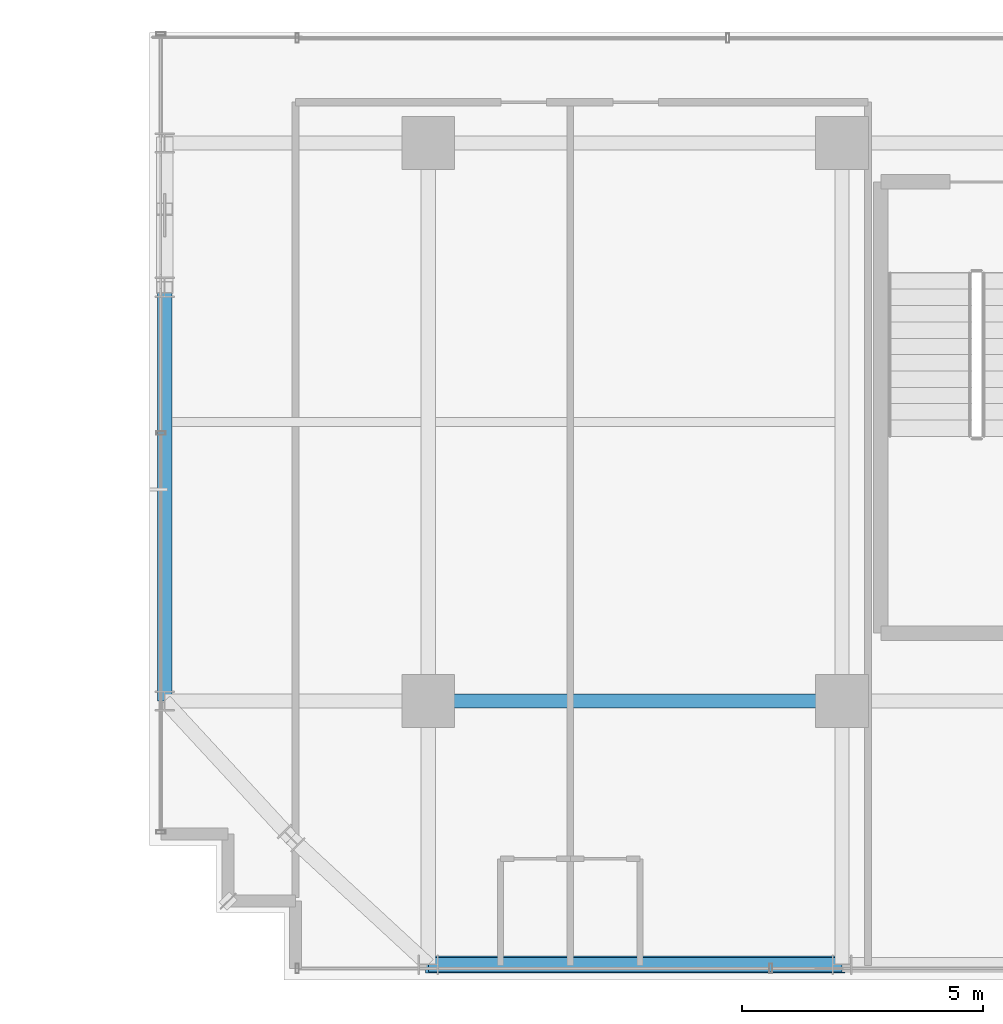
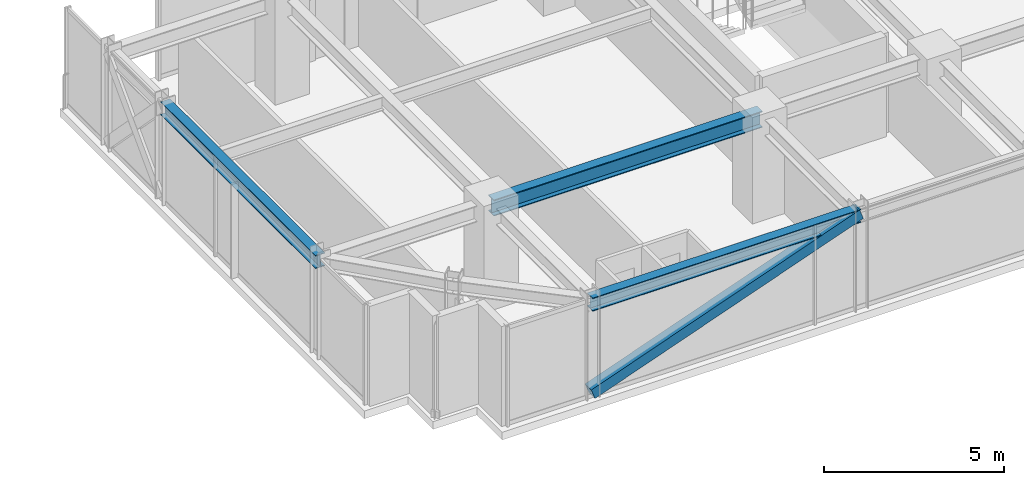
# One storey, part 3 of 43: 3 beams, 1 member.
"""IFC4 building model written with IfcOpenShell, lengths in metres."""

from ifc_helpers import new_model, si_unit, direction, frame, origin, origin_2d, place, context, subcontext, project, spatial, hollow_rectangle, i_section, extrude, source, transform, mapped, material, material_profile, profile_set, type_object, element, save


model = new_model("IFC4")

# Units and contexts
model_context = context("Model", 3, precision=1e-05, world=origin(), true_north=direction((0.0, 1.0)))
body_context = subcontext(model_context, "Body", "Model", "MODEL_VIEW")
ifc_project = project(units=[si_unit("LENGTHUNIT", "METRE"), si_unit("AREAUNIT", "SQUARE_METRE"), si_unit("VOLUMEUNIT", "CUBIC_METRE"), si_unit("PLANEANGLEUNIT", "RADIAN"), si_unit("MASSUNIT", "GRAM", prefix="KILO")], contexts=[model_context])

# Site, building, storey
site_placement = place(None, origin())
site = spatial("IfcSite", under=ifc_project, at=site_placement, CompositionType="ELEMENT")
building_placement = place(site_placement, origin())
building = spatial("IfcBuilding", under=site, at=building_placement, Name="Nahalor Promenade Grand Hotel", CompositionType="ELEMENT")
storey_placement = place(building_placement, frame((0.0, 0.0, 181.85009765625)))
storey = spatial("IfcBuildingStorey", under=building, at=storey_placement, Name="L46", CompositionType="ELEMENT", Elevation=181.85009765625)

# Beams
ifc_material = material(Name="Steel S355JR", Category="steel")
ifc_material_profile_1 = material_profile(ifc_material, i_section(OverallWidth=0.3, OverallDepth=0.55, WebThickness=0.015, FlangeThickness=0.029, at=origin_2d()), Name="HEB 550")
ifc_profile_set_1 = profile_set([ifc_material_profile_1], Name="Steel S355JR")
beam_type_1 = type_object("IfcBeamType", Name="Beam-Girder-HEB550", PredefinedType="BEAM", material=ifc_profile_set_1)
shared_shape_1 = source(origin(), body_context, "Body", "SweptSolid", [
    extrude(i_section(OverallWidth=0.3, OverallDepth=0.55, WebThickness=0.015, FlangeThickness=0.029, at=origin_2d()), origin(), (0.0, 0.0, 1.0), 8.60009765625),
])
beam_placement = place(storey_placement, frame((-17.0, -17.0, 3.114990234375), z_axis=(1.0, 0.0, 0.0), x_axis=(0.0, 1.0, 0.0)))
element("IfcBeam", 1, at=beam_placement, inside=storey, type_object=beam_type_1, Name="BM-L46-GX-0-1", PredefinedType="BEAM", context=body_context, shape_type="MappedRepresentation", body=[
    mapped(shared_shape_1, transform((0.0, 0.0, 0.0), scale=1.0)),
])
ifc_material_profile_2 = material_profile(ifc_material, i_section(OverallWidth=0.3, OverallDepth=0.45, WebThickness=0.014, FlangeThickness=0.026, at=origin_2d()), Name="HEB 450")
ifc_profile_set_2 = profile_set([ifc_material_profile_2], Name="Steel S355JR")
beam_type_2 = type_object("IfcBeamType", Name="Beam-Spandrel-HEB450", PredefinedType="SPANDREL", material=ifc_profile_set_2)
shared_shape_2 = source(origin(), body_context, "Body", "SweptSolid", [
    extrude(i_section(OverallWidth=0.3, OverallDepth=0.45, WebThickness=0.014, FlangeThickness=0.026, at=origin_2d()), origin(), (0.0, 0.0, 1.0), 8.60009765625),
])
for number, where, z_axis, x_axis, name in (
    (2, (-17.0, -22.47998046875, 3.164794921875), (1.0, 0.0, 0.0), (0.0, 1.0, 0.0), "BM-L46-SP-S-0"),
    (3, (-22.47998046875, -17.0, 3.164794921875), (0.0, 1.0, 0.0), (-1.0, 0.0, 0.0), "BM-L46-SP-W-0"),
):
    element("IfcBeam", number, at=place(storey_placement, frame(where, z_axis=z_axis, x_axis=x_axis)), inside=storey, type_object=beam_type_2, Name=name, PredefinedType="SPANDREL", context=body_context, shape_type="MappedRepresentation", body=[
        mapped(shared_shape_2, transform((0.0, 0.0, 0.0), scale=1.0)),
    ])

# Member
ifc_material_profile_3 = material_profile(ifc_material, hollow_rectangle(XDim=0.35, YDim=0.35, WallThickness=0.02, at=origin_2d()), Name="SHS 350x350x20")
ifc_profile_set_3 = profile_set([ifc_material_profile_3], Name="Steel S355JR")
member_type = type_object("IfcMemberType", Name="Mem-VoidBrace-SHS350", PredefinedType="BRACE", material=ifc_profile_set_3)
shared_shape_3 = source(origin(), body_context, "Body", "SweptSolid", [
    extrude(hollow_rectangle(XDim=0.35, YDim=0.35, WallThickness=0.02, at=origin_2d()), origin(), (0.0, 0.0, 1.0), 9.138427734375),
])
member_placement = place(storey_placement, frame((-17.0, -22.47998046875, 0.14990234375), z_axis=(0.941094643271, 0.0, 0.338143272012), x_axis=(0.0, 1.0, 0.0)))
element("IfcMember", 4, at=member_placement, inside=storey, type_object=member_type, Name="EXO-L46-S-0", PredefinedType="BRACE", context=body_context, shape_type="MappedRepresentation", body=[
    mapped(shared_shape_3, transform((0.0, 0.0, 0.0), scale=1.0)),
])

save(model, "model.ifc")
